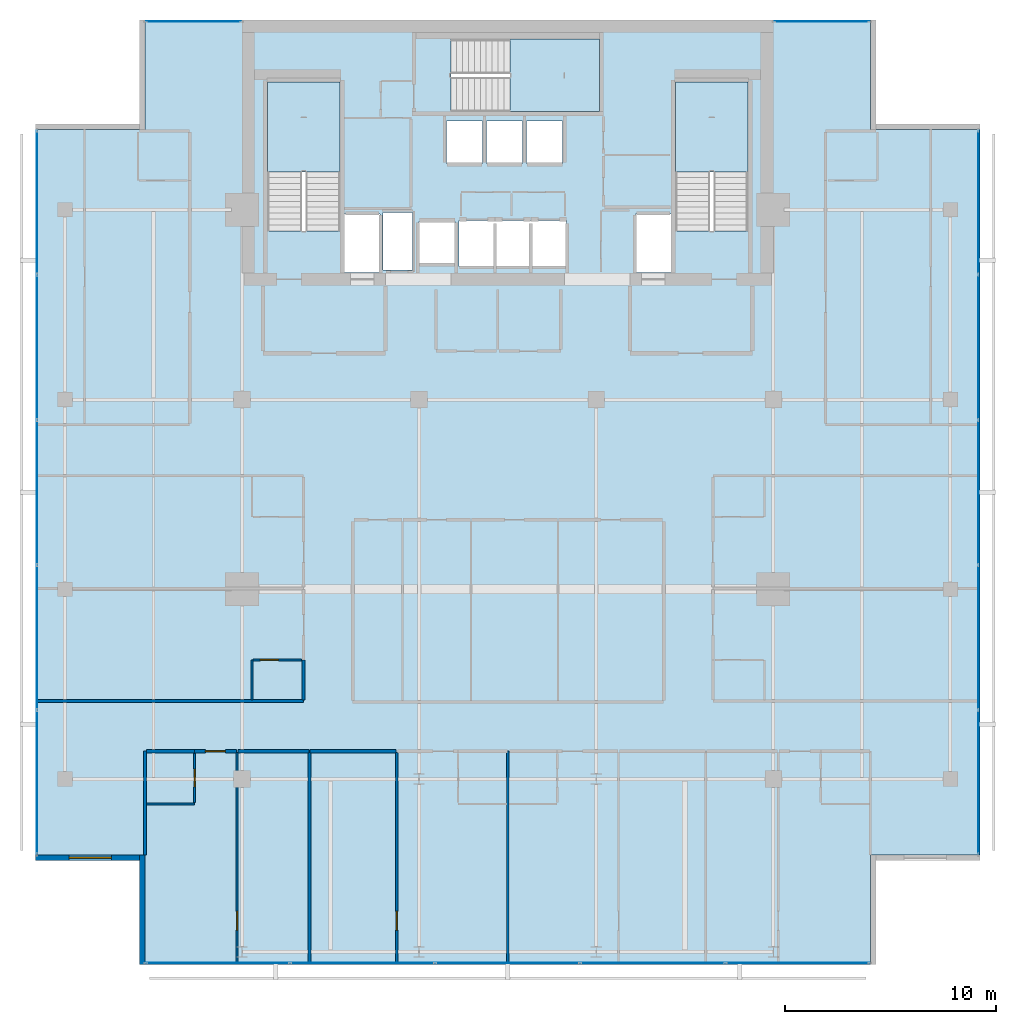
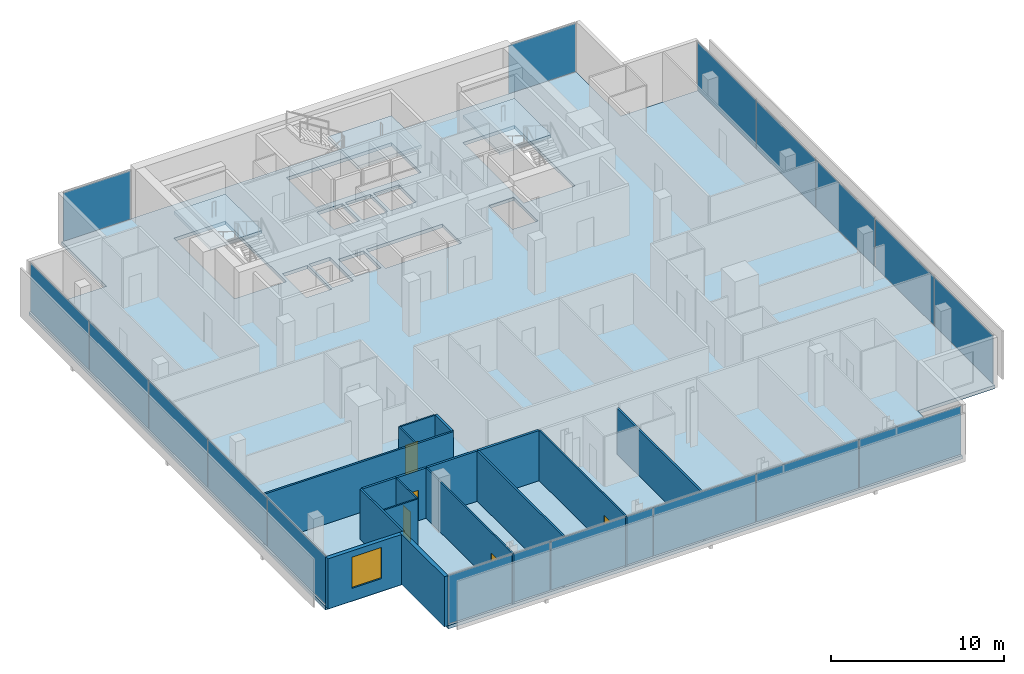
# One storey, part 19 of 26: 17 plates, 17 walls, 5 doors, 4 slabs, 1 window, 6 openings, 8 elements without a shape of their own.
"""IFC4 building model written with IfcOpenShell, lengths in metres."""

from ifc_helpers import new_model, si_unit, direction, frame, frame_2d, origin, origin_2d, place, context, subcontext, project, spatial, polyline, rectangle, outline, extrude, material, layer, layer_set, type_object, element, fill, aggregate, save


model = new_model("IFC4")

# Units and contexts
model_context = context("Model", 3, precision=1e-05, world=origin(), true_north=direction((0.0, 1.0)))
body_context = subcontext(model_context, "Body", "Model", "MODEL_VIEW")
ifc_project = project(units=[si_unit("LENGTHUNIT", "METRE"), si_unit("AREAUNIT", "SQUARE_METRE"), si_unit("VOLUMEUNIT", "CUBIC_METRE"), si_unit("PLANEANGLEUNIT", "RADIAN"), si_unit("MASSUNIT", "GRAM", prefix="KILO")], contexts=[model_context])

# Site, building, storey
site_placement = place(None, origin())
site = spatial("IfcSite", under=ifc_project, at=site_placement, CompositionType="ELEMENT")
building_placement = place(site_placement, origin())
building = spatial("IfcBuilding", under=site, at=building_placement, Name="Maruvema Waterfront Hotel and Observation Tower", CompositionType="ELEMENT")
storey_placement = place(building_placement, frame((0.0, 0.0, 312.550048828125)))
storey = spatial("IfcBuildingStorey", under=building, at=storey_placement, Name="L77", CompositionType="ELEMENT", Elevation=312.550048828125)

# Slab
ifc_material_1 = material(Name="Concrete C50/60", Category="concrete")
ifc_layer_1 = layer(ifc_material_1, 0.239990234375, Name="Reinforced Concrete Floor Slab 240 mm")
ifc_layer_set_1 = layer_set([ifc_layer_1], Name="Concrete C50/60")
slab_type_1 = type_object("IfcSlabType", Name="Reinforced Concrete Floor Slab 240 mm", PredefinedType="FLOOR", material=ifc_layer_set_1)
slab_1_placement = place(storey_placement, frame((0.0, 0.0, -0.239990234375)))
element("IfcSlab", 1, at=slab_1_placement, inside=storey, type_object=slab_type_1, Name="L77 Structural Floor Slab", PredefinedType="FLOOR", context=body_context, shape_type="SweptSolid", body=[
    extrude(outline(polyline([(20.60009765625, 9.199951171875), (55.0, 9.199951171875), (55.0, 14.39990234375), (60.199951171875, 14.39990234375), (60.199951171875, 48.800048828125), (55.0, 48.800048828125), (55.0, 54.0), (20.60009765625, 54.0), (20.60009765625, 48.800048828125), (15.39990234375, 48.800048828125), (15.39990234375, 14.39990234375), (20.60009765625, 14.39990234375), (20.60009765625, 9.199951171875)]), holes=[polyline([(26.39990234375, 44.00048828125), (26.39990234375, 51.050048828125), (29.85009765625, 51.050048828125), (29.85009765625, 44.00048828125), (26.39990234375, 44.00048828125)]), polyline([(30.050048828125, 44.800048828125), (31.75, 44.800048828125), (31.75, 42.02001953125), (30.050048828125, 42.02001953125), (30.050048828125, 44.800048828125)]), polyline([(31.8798828125, 42.139892578125), (31.8798828125, 44.860107421875), (33.280029296875, 44.860107421875), (33.280029296875, 42.139892578125), (31.8798828125, 42.139892578125)]), polyline([(33.60009765625, 44.449951171875), (35.300048828125, 44.449951171875), (35.300048828125, 42.449951171875), (33.60009765625, 42.449951171875), (33.60009765625, 44.449951171875)]), polyline([(34.89990234375, 49.199951171875), (36.60009765625, 49.199951171875), (36.60009765625, 47.199951171875), (34.89990234375, 47.199951171875), (34.89990234375, 49.199951171875)]), polyline([(36.800048828125, 47.199951171875), (36.800048828125, 49.199951171875), (38.5, 49.199951171875), (38.5, 47.199951171875), (36.800048828125, 47.199951171875)]), polyline([(35.5, 42.300048828125), (35.5, 44.5), (40.60009765625, 44.5), (40.60009765625, 42.300048828125), (35.5, 42.300048828125)]), polyline([(35.1005859375, 53.10009765625), (42.14990234375, 53.10009765625), (42.14990234375, 49.64990234375), (35.1005859375, 49.64990234375), (35.1005859375, 53.10009765625)]), polyline([(38.699951171875, 49.199951171875), (40.39990234375, 49.199951171875), (40.39990234375, 47.199951171875), (38.699951171875, 47.199951171875), (38.699951171875, 49.199951171875)]), polyline([(43.85009765625, 44.800048828125), (45.550048828125, 44.800048828125), (45.550048828125, 42.02001953125), (43.85009765625, 42.02001953125), (43.85009765625, 44.800048828125)]), polyline([(45.75, 44.00048828125), (45.75, 51.050048828125), (49.199951171875, 51.050048828125), (49.199951171875, 44.00048828125), (45.75, 44.00048828125)])]), origin(), (0.0, 0.0, 1.0), 0.239990234375),
])

# Curtain wall, plates
ifc_material_2 = material(Name="Anodised bronze aluminium and solar-control low-E IGU", Category="aluminium")
ifc_layer_2 = layer(ifc_material_2, 0.159912109375, Name="Zone 3 Champagne Inner Thermal Curtain Wall System CW-04")
ifc_layer_set_2 = layer_set([ifc_layer_2], Name="Anodised bronze aluminium and solar-control low-E IGU")
curtain_wall_type = type_object("IfcCurtainWallType", Name="Zone 3 Champagne Inner Thermal Curtain Wall System CW-04", PredefinedType="USERDEFINED", material=ifc_layer_set_2)
curtain_wall_1_placement = place(storey_placement, origin())
curtain_wall_1 = element("IfcCurtainWall", 2, at=curtain_wall_1_placement, inside=storey, type_object=curtain_wall_type, Name="L77 Curtain Wall CW-L77-S", ObjectType="UNITISED CURTAIN WALL", PredefinedType="USERDEFINED")
ifc_material_3 = material(Name="Laminated low-E solar-control double glazing", Category="glass")
ifc_layer_3 = layer(ifc_material_3, 0.035888671875, Name="Solar Control Double-Glazed Curtain Panel 36 mm")
ifc_layer_set_3 = layer_set([ifc_layer_3], Name="Laminated low-E solar-control double glazing")
plate_type = type_object("IfcPlateType", Name="Solar Control Double-Glazed Curtain Panel 36 mm", PredefinedType="CURTAIN_PANEL", material=ifc_layer_set_3)
plate_1_placement = place(storey_placement, frame((24.054931640625, 9.280029296875, 0.06005859375), z_axis=(0.0, 0.0, 1.0), x_axis=(1.0, 0.0, 0.0)))
plate_1 = element("IfcPlate", 3, at=plate_1_placement, type_object=plate_type, Name="CW-04 panel 1.1", PredefinedType="CURTAIN_PANEL", context=body_context, shape_type="SweptSolid", body=[
    extrude(rectangle(XDim=6.7900390625, YDim=0.028076171875, at=origin_2d()), origin(), (0.0, 0.0, 1.0), 3.429931640625),
])
plate_2_placement = place(storey_placement, frame((30.919921875, 9.280029296875, 0.06005859375), z_axis=(0.0, 0.0, 1.0), x_axis=(1.0, 0.0, 0.0)))
plate_2 = element("IfcPlate", 4, at=plate_2_placement, type_object=plate_type, Name="CW-04 panel 2.1", PredefinedType="CURTAIN_PANEL", context=body_context, shape_type="SweptSolid", body=[
    extrude(rectangle(XDim=6.820068359375, YDim=0.028076171875, at=origin_2d()), origin(), (0.0, 0.0, 1.0), 3.429931640625),
])
plate_3_placement = place(storey_placement, frame((37.800048828125, 9.280029296875, 0.06005859375), z_axis=(0.0, 0.0, 1.0), x_axis=(1.0, 0.0, 0.0)))
plate_3 = element("IfcPlate", 5, at=plate_3_placement, type_object=plate_type, Name="CW-04 panel 3.1", PredefinedType="CURTAIN_PANEL", context=body_context, shape_type="SweptSolid", body=[
    extrude(rectangle(XDim=6.820068359375, YDim=0.028076171875, at=origin_2d()), origin(), (0.0, 0.0, 1.0), 3.429931640625),
])
plate_4_placement = place(storey_placement, frame((44.679931640625, 9.280029296875, 0.06005859375), z_axis=(0.0, 0.0, 1.0), x_axis=(1.0, 0.0, 0.0)))
plate_4 = element("IfcPlate", 6, at=plate_4_placement, type_object=plate_type, Name="CW-04 panel 4.1", PredefinedType="CURTAIN_PANEL", context=body_context, shape_type="SweptSolid", body=[
    extrude(rectangle(XDim=6.820068359375, YDim=0.028076171875, at=origin_2d()), origin(), (0.0, 0.0, 1.0), 3.429931640625),
])
plate_5_placement = place(storey_placement, frame((51.544921875, 9.280029296875, 0.06005859375), z_axis=(0.0, 0.0, 1.0), x_axis=(1.0, 0.0, 0.0)))
plate_5 = element("IfcPlate", 7, at=plate_5_placement, type_object=plate_type, Name="CW-04 panel 5.1", PredefinedType="CURTAIN_PANEL", context=body_context, shape_type="SweptSolid", body=[
    extrude(rectangle(XDim=6.7900390625, YDim=0.028076171875, at=origin_2d()), origin(), (0.0, 0.0, 1.0), 3.429931640625),
])
aggregate(curtain_wall_1, [plate_1, plate_2, plate_3, plate_4, plate_5])

curtain_wall_2_placement = place(storey_placement, origin())
curtain_wall_2 = element("IfcCurtainWall", 8, at=curtain_wall_2_placement, inside=storey, type_object=curtain_wall_type, Name="L77 Curtain Wall CW-L77-E", ObjectType="UNITISED CURTAIN WALL", PredefinedType="USERDEFINED")
plate_6_placement = place(storey_placement, frame((60.1201171875, 17.85498046875, 0.06005859375), z_axis=(0.0, 0.0, 1.0), x_axis=(0.0, 1.0, 0.0)))
plate_6 = element("IfcPlate", 9, at=plate_6_placement, type_object=plate_type, Name="CW-04 panel 1.1", PredefinedType="CURTAIN_PANEL", context=body_context, shape_type="SweptSolid", body=[
    extrude(rectangle(XDim=6.7900390625, YDim=0.028076171875, at=origin_2d()), origin(), (0.0, 0.0, 1.0), 3.429931640625),
])
plate_7_placement = place(storey_placement, frame((60.1201171875, 24.719970703125, 0.06005859375), z_axis=(0.0, 0.0, 1.0), x_axis=(0.0, 1.0, 0.0)))
plate_7 = element("IfcPlate", 10, at=plate_7_placement, type_object=plate_type, Name="CW-04 panel 2.1", PredefinedType="CURTAIN_PANEL", context=body_context, shape_type="SweptSolid", body=[
    extrude(rectangle(XDim=6.820068359375, YDim=0.028076171875, at=origin_2d()), origin(), (0.0, 0.0, 1.0), 3.429931640625),
])
plate_8_placement = place(storey_placement, frame((60.1201171875, 31.60009765625, 0.06005859375), z_axis=(0.0, 0.0, 1.0), x_axis=(0.0, 1.0, 0.0)))
plate_8 = element("IfcPlate", 11, at=plate_8_placement, type_object=plate_type, Name="CW-04 panel 3.1", PredefinedType="CURTAIN_PANEL", context=body_context, shape_type="SweptSolid", body=[
    extrude(rectangle(XDim=6.820068359375, YDim=0.028076171875, at=origin_2d()), origin(), (0.0, 0.0, 1.0), 3.429931640625),
])
plate_9_placement = place(storey_placement, frame((60.1201171875, 38.47998046875, 0.06005859375), z_axis=(0.0, 0.0, 1.0), x_axis=(0.0, 1.0, 0.0)))
plate_9 = element("IfcPlate", 12, at=plate_9_placement, type_object=plate_type, Name="CW-04 panel 4.1", PredefinedType="CURTAIN_PANEL", context=body_context, shape_type="SweptSolid", body=[
    extrude(rectangle(XDim=6.820068359375, YDim=0.028076171875, at=origin_2d()), origin(), (0.0, 0.0, 1.0), 3.429931640625),
])
plate_10_placement = place(storey_placement, frame((60.1201171875, 45.344970703125, 0.06005859375), z_axis=(0.0, 0.0, 1.0), x_axis=(0.0, 1.0, 0.0)))
plate_10 = element("IfcPlate", 13, at=plate_10_placement, type_object=plate_type, Name="CW-04 panel 5.1", PredefinedType="CURTAIN_PANEL", context=body_context, shape_type="SweptSolid", body=[
    extrude(rectangle(XDim=6.7900390625, YDim=0.028076171875, at=origin_2d()), origin(), (0.0, 0.0, 1.0), 3.429931640625),
])
aggregate(curtain_wall_2, [plate_6, plate_7, plate_8, plate_9, plate_10])

curtain_wall_3_placement = place(storey_placement, origin())
curtain_wall_3 = element("IfcCurtainWall", 14, at=curtain_wall_3_placement, inside=storey, type_object=curtain_wall_type, Name="L77 Curtain Wall CW-L77-W", ObjectType="UNITISED CURTAIN WALL", PredefinedType="USERDEFINED")
plate_11_placement = place(storey_placement, frame((15.47998046875, 45.344970703125, 0.06005859375), z_axis=(0.0, 0.0, 1.0), x_axis=(0.0, -1.0, 0.0)))
plate_11 = element("IfcPlate", 15, at=plate_11_placement, type_object=plate_type, Name="CW-04 panel 1.1", PredefinedType="CURTAIN_PANEL", context=body_context, shape_type="SweptSolid", body=[
    extrude(rectangle(XDim=6.7900390625, YDim=0.028076171875, at=origin_2d()), origin(), (0.0, 0.0, 1.0), 3.429931640625),
])
plate_12_placement = place(storey_placement, frame((15.47998046875, 38.47998046875, 0.06005859375), z_axis=(0.0, 0.0, 1.0), x_axis=(0.0, -1.0, 0.0)))
plate_12 = element("IfcPlate", 16, at=plate_12_placement, type_object=plate_type, Name="CW-04 panel 2.1", PredefinedType="CURTAIN_PANEL", context=body_context, shape_type="SweptSolid", body=[
    extrude(rectangle(XDim=6.820068359375, YDim=0.028076171875, at=origin_2d()), origin(), (0.0, 0.0, 1.0), 3.429931640625),
])
plate_13_placement = place(storey_placement, frame((15.47998046875, 31.60009765625, 0.06005859375), z_axis=(0.0, 0.0, 1.0), x_axis=(0.0, -1.0, 0.0)))
plate_13 = element("IfcPlate", 17, at=plate_13_placement, type_object=plate_type, Name="CW-04 panel 3.1", PredefinedType="CURTAIN_PANEL", context=body_context, shape_type="SweptSolid", body=[
    extrude(rectangle(XDim=6.820068359375, YDim=0.028076171875, at=origin_2d()), origin(), (0.0, 0.0, 1.0), 3.429931640625),
])
plate_14_placement = place(storey_placement, frame((15.47998046875, 24.719970703125, 0.06005859375), z_axis=(0.0, 0.0, 1.0), x_axis=(0.0, -1.0, 0.0)))
plate_14 = element("IfcPlate", 18, at=plate_14_placement, type_object=plate_type, Name="CW-04 panel 4.1", PredefinedType="CURTAIN_PANEL", context=body_context, shape_type="SweptSolid", body=[
    extrude(rectangle(XDim=6.820068359375, YDim=0.028076171875, at=origin_2d()), origin(), (0.0, 0.0, 1.0), 3.429931640625),
])
plate_15_placement = place(storey_placement, frame((15.47998046875, 17.85498046875, 0.06005859375), z_axis=(0.0, 0.0, 1.0), x_axis=(0.0, -1.0, 0.0)))
plate_15 = element("IfcPlate", 19, at=plate_15_placement, type_object=plate_type, Name="CW-04 panel 5.1", PredefinedType="CURTAIN_PANEL", context=body_context, shape_type="SweptSolid", body=[
    extrude(rectangle(XDim=6.7900390625, YDim=0.028076171875, at=origin_2d()), origin(), (0.0, 0.0, 1.0), 3.429931640625),
])
aggregate(curtain_wall_3, [plate_11, plate_12, plate_13, plate_14, plate_15])

# Curtain wall, plate
curtain_wall_4_placement = place(storey_placement, origin())
curtain_wall_4 = element("IfcCurtainWall", 20, at=curtain_wall_4_placement, inside=storey, type_object=curtain_wall_type, Name="L77 Curtain Wall CW-L77-NW", ObjectType="UNITISED CURTAIN WALL", PredefinedType="USERDEFINED")
plate_16_placement = place(storey_placement, frame((22.89990234375, 53.919921875, 0.06005859375), z_axis=(0.0, 0.0, 1.0), x_axis=(-1.0, 0.0, 0.0)))
plate_16 = element("IfcPlate", 21, at=plate_16_placement, type_object=plate_type, Name="CW-04 panel 1.1", PredefinedType="CURTAIN_PANEL", context=body_context, shape_type="SweptSolid", body=[
    extrude(rectangle(XDim=4.47998046875, YDim=0.028076171875, at=origin_2d()), origin(), (0.0, 0.0, 1.0), 3.429931640625),
])
aggregate(curtain_wall_4, [plate_16])

curtain_wall_5_placement = place(storey_placement, origin())
curtain_wall_5 = element("IfcCurtainWall", 22, at=curtain_wall_5_placement, inside=storey, type_object=curtain_wall_type, Name="L77 Curtain Wall CW-L77-NE", ObjectType="UNITISED CURTAIN WALL", PredefinedType="USERDEFINED")
plate_17_placement = place(storey_placement, frame((52.699951171875, 53.919921875, 0.06005859375), z_axis=(0.0, 0.0, 1.0), x_axis=(-1.0, 0.0, 0.0)))
plate_17 = element("IfcPlate", 23, at=plate_17_placement, type_object=plate_type, Name="CW-04 panel 1.1", PredefinedType="CURTAIN_PANEL", context=body_context, shape_type="SweptSolid", body=[
    extrude(rectangle(XDim=4.47998046875, YDim=0.028076171875, at=origin_2d()), origin(), (0.0, 0.0, 1.0), 3.429931640625),
])
aggregate(curtain_wall_5, [plate_17])

# Stair, slab
ifc_material_4 = material(Name="Concrete C50/60", Category="concrete")
stair_type = type_object("IfcStairType", Name="Dogleg Exit Stair 1650 mm (22R x 175.0 mm)", PredefinedType="HALF_TURN_STAIR", material=ifc_material_4)
stair_1_placement = place(storey_placement, origin())
stair_1 = element("IfcStair", 24, at=stair_1_placement, inside=storey, type_object=stair_type, Name="L77 ST-01", PredefinedType="HALF_TURN_STAIR")
ifc_material_5 = material(Name="Concrete C50/60", Category="concrete")
ifc_layer_4 = layer(ifc_material_5, 0.219970703125, Name="Stair Concrete Landing Slab 220 mm")
ifc_layer_set_4 = layer_set([ifc_layer_4], Name="Concrete C50/60")
slab_type_2 = type_object("IfcSlabType", Name="Stair Concrete Landing Slab 220 mm", PredefinedType="LANDING", material=ifc_layer_set_4)
slab_2_placement = place(storey_placement, frame((0.0, 0.0, 1.704833984375)))
slab_2 = element("IfcSlab", 25, at=slab_2_placement, type_object=slab_type_2, Name="ST-01 landing 1", PredefinedType="LANDING", context=body_context, shape_type="SweptSolid", body=[
    extrude(outline(polyline([(29.85009765625, 46.800048828125), (29.85009765625, 51.050048828125), (26.39990234375, 51.050048828125), (26.39990234375, 46.800048828125), (29.85009765625, 46.800048828125)])), origin(), (0.0, 0.0, 1.0), 0.22021484375),
])
aggregate(stair_1, [slab_2])

stair_2_placement = place(storey_placement, origin())
stair_2 = element("IfcStair", 26, at=stair_2_placement, inside=storey, type_object=stair_type, Name="L77 ST-02", PredefinedType="HALF_TURN_STAIR")
slab_3_placement = place(storey_placement, frame((0.0, 0.0, 1.704833984375)))
slab_3 = element("IfcSlab", 27, at=slab_3_placement, type_object=slab_type_2, Name="ST-02 landing 1", PredefinedType="LANDING", context=body_context, shape_type="SweptSolid", body=[
    extrude(outline(polyline([(37.89990234375, 49.64990234375), (42.14990234375, 49.64990234375), (42.14990234375, 53.10009765625), (37.89990234375, 53.10009765625), (37.89990234375, 49.64990234375)])), origin(), (0.0, 0.0, 1.0), 0.22021484375),
])
aggregate(stair_2, [slab_3])

stair_3_placement = place(storey_placement, origin())
stair_3 = element("IfcStair", 28, at=stair_3_placement, inside=storey, type_object=stair_type, Name="L77 ST-03", PredefinedType="HALF_TURN_STAIR")
slab_4_placement = place(storey_placement, frame((0.0, 0.0, 1.704833984375)))
slab_4 = element("IfcSlab", 29, at=slab_4_placement, type_object=slab_type_2, Name="ST-03 landing 1", PredefinedType="LANDING", context=body_context, shape_type="SweptSolid", body=[
    extrude(outline(polyline([(49.199951171875, 46.800048828125), (49.199951171875, 51.050048828125), (45.75, 51.050048828125), (45.75, 46.800048828125), (49.199951171875, 46.800048828125)])), origin(), (0.0, 0.0, 1.0), 0.22021484375),
])
aggregate(stair_3, [slab_4])

# Wall
ifc_material_6 = material(Name="Twin-stud acoustic gypsum drywall", Category="gypsum")
ifc_layer_5 = layer(ifc_material_6, 0.14990234375, Name="Acoustic Corridor and Suite Demising Wall 150 mm")
ifc_layer_set_5 = layer_set([ifc_layer_5], Name="Twin-stud acoustic gypsum drywall")
wall_type_1 = type_object("IfcWallType", Name="Acoustic Corridor and Suite Demising Wall 150 mm", PredefinedType="PARTITIONING", material=ifc_layer_set_5)
wall_1_placement = place(storey_placement, frame((20.679931640625, 19.320068359375, 0.0), z_axis=(0.0, 0.0, 1.0), x_axis=(1.0, 0.0, 0.0)))
element("IfcWall", 30, at=wall_1_placement, inside=storey, type_object=wall_type_1, Name="L77 Bath L77-S1 Back Wall 043", PredefinedType="PARTITIONING", context=body_context, shape_type="SweptSolid", body=[
    extrude(rectangle(XDim=2.27001953125, YDim=0.14990234375, at=frame_2d((1.135009765625, 0.0))), origin(), (0.0, 0.0, 1.0), 3.550048828125),
])

# Wall, opening, door
wall_2_placement = place(storey_placement, frame((22.949951171875, 19.320068359375, 0.0), z_axis=(0.0, 0.0, 1.0), x_axis=(1.0, 0.0, 0.0)))
wall_2 = element("IfcWall", 31, at=wall_2_placement, inside=storey, type_object=wall_type_1, Name="L77 Unit L77-S1 Corridor Wall 046", PredefinedType="PARTITIONING", context=body_context, shape_type="SweptSolid", body=[
    extrude(rectangle(XDim=1.97802734375, YDim=0.14990234375, at=frame_2d((0.989013671875, 0.0))), origin(), (0.0, 0.0, 1.0), 3.550048828125),
])
opening_1_placement = place(wall_2_placement, frame((0.513916015625, 0.0, 0.0)))
opening_1 = element("IfcOpeningElement", 32, at=opening_1_placement, cuts=wall_2, Name="Opening DR-095", PredefinedType="OPENING", context=body_context, shape_type="SweptSolid", body=[
    extrude(rectangle(XDim=0.949951171875, YDim=2.14990234375, at=frame_2d((0.47509765625, 1.074951171875))), frame((0.0, 0.0849609375, 0.0), z_axis=(0.0, -1.0, 0.0), x_axis=(1.0, 0.0, 0.0)), (0.0, 0.0, 1.0), 0.169921875),
])
ifc_material_7 = material(Name="Acoustic solid-core hardwood timber leaf", Category="wood")
door_type_1 = type_object("IfcDoorType", Name="Guestroom Entrance Fire Door 950x2150 mm", OperationType="NOTDEFINED", PredefinedType="DOOR", material=ifc_material_7)
door_1_placement = place(opening_1_placement, frame((0.949951171875, 0.0, 0.0), z_axis=(0.0, 0.0, 1.0), x_axis=(-1.0, 0.0, 0.0)))
door_1 = element("IfcDoor", 33, at=door_1_placement, inside=storey, type_object=door_type_1, Name="L77 Unit L77-S1 Entrance Door", OperationType="SINGLE_SWING_LEFT", OverallHeight=2.14990234375, OverallWidth=0.949951171875, PredefinedType="DOOR", context=body_context, shape_type="SweptSolid", body=[
    extrude(rectangle(XDim=0.949951171875, YDim=2.14990234375, at=frame_2d((0.47509765625, 1.074951171875))), frame((0.0, 0.02490234375, 0.0), z_axis=(0.0, -1.0, 0.0), x_axis=(1.0, 0.0, 0.0)), (0.0, 0.0, 1.0), 0.050048828125),
])
fill(opening_1, door_1)

# Walls
wall_3_placement = place(storey_placement, frame((25.008056640625, 19.320068359375, 0.0), z_axis=(0.0, 0.0, 1.0), x_axis=(1.0, 0.0, 0.0)))
element("IfcWall", 34, at=wall_3_placement, inside=storey, type_object=wall_type_1, Name="L77 Bedroom L77-S1 Back Wall 047", PredefinedType="PARTITIONING", context=body_context, shape_type="SweptSolid", body=[
    extrude(rectangle(XDim=3.371826171875, YDim=0.14990234375, at=frame_2d((1.68603515625, 0.0))), origin(), (0.0, 0.0, 1.0), 3.550048828125),
])
wall_4_placement = place(storey_placement, frame((28.419921875, 19.320068359375, 0.0), z_axis=(0.0, 0.0, 1.0), x_axis=(1.0, 0.0, 0.0)))
element("IfcWall", 35, at=wall_4_placement, inside=storey, type_object=wall_type_1, Name="L77 Bedroom L77-S2 Back Wall 053", PredefinedType="PARTITIONING", context=body_context, shape_type="SweptSolid", body=[
    extrude(rectangle(XDim=4.076171875, YDim=0.14990234375, at=frame_2d((2.0380859375, 0.0))), origin(), (0.0, 0.0, 1.0), 3.550048828125),
])
wall_5_placement = place(storey_placement, frame((28.1201171875, 21.760009765625, 0.0), z_axis=(0.0, 0.0, 1.0), x_axis=(0.0, 1.0, 0.0)))
element("IfcWall", 36, at=wall_5_placement, inside=storey, type_object=wall_type_1, Name="L77 Bath L77-W1 Wall 074", PredefinedType="PARTITIONING", context=body_context, shape_type="SweptSolid", body=[
    extrude(rectangle(XDim=1.889892578125, YDim=0.14990234375, at=frame_2d((0.94482421875, 0.0))), origin(), (0.0, 0.0, 1.0), 3.550048828125),
])
ifc_material_8 = material(Name="Moisture-resistant cement-board drywall", Category="gypsum")
ifc_layer_6 = layer(ifc_material_8, 0.10009765625, Name="En-Suite Moisture-Resistant Partition 100 mm")
ifc_layer_set_6 = layer_set([ifc_layer_6], Name="Moisture-resistant cement-board drywall")
wall_type_2 = type_object("IfcWallType", Name="En-Suite Moisture-Resistant Partition 100 mm", PredefinedType="PARTITIONING", material=ifc_layer_set_6)
wall_6_placement = place(storey_placement, frame((20.679931640625, 16.820068359375, 0.0), z_axis=(0.0, 0.0, 1.0), x_axis=(1.0, 0.0, 0.0)))
element("IfcWall", 37, at=wall_6_placement, inside=storey, type_object=wall_type_2, Name="L77 En-Suite L77-S1 South 044", PredefinedType="PARTITIONING", context=body_context, shape_type="SweptSolid", body=[
    extrude(rectangle(XDim=2.27001953125, YDim=0.10009765625, at=frame_2d((1.135009765625, 0.0))), origin(), (0.0, 0.0, 1.0), 3.550048828125),
])

# Wall, opening, door
wall_7_placement = place(storey_placement, frame((22.949951171875, 16.8798828125, 0.0), z_axis=(0.0, 0.0, 1.0), x_axis=(0.0, 1.0, 0.0)))
wall_7 = element("IfcWall", 38, at=wall_7_placement, inside=storey, type_object=wall_type_2, Name="L77 En-Suite L77-S1 East 045", PredefinedType="PARTITIONING", context=body_context, shape_type="SweptSolid", body=[
    extrude(rectangle(XDim=2.340087890625, YDim=0.10009765625, at=frame_2d((1.169921875, 0.0))), origin(), (0.0, 0.0, 1.0), 3.550048828125),
])
opening_2_placement = place(wall_7_placement, frame((0.7451171875, 0.0, 0.0)))
opening_2 = element("IfcOpeningElement", 39, at=opening_2_placement, cuts=wall_7, Name="Opening DR-085", PredefinedType="OPENING", context=body_context, shape_type="SweptSolid", body=[
    extrude(rectangle(XDim=0.85009765625, YDim=2.10009765625, at=frame_2d((0.425048828125, 1.050048828125))), frame((0.0, 0.06005859375, 0.0), z_axis=(0.0, -1.0, 0.0), x_axis=(1.0, 0.0, 0.0)), (0.0, 0.0, 1.0), 0.1201171875),
])
ifc_material_9 = material(Name="Moisture-resistant solid timber leaf", Category="wood")
door_type_2 = type_object("IfcDoorType", Name="En-Suite Bathroom Door 850x2100 mm", OperationType="NOTDEFINED", PredefinedType="DOOR", material=ifc_material_9)
door_2_placement = place(opening_2_placement, frame((0.85009765625, 0.0, 0.0), z_axis=(0.0, 0.0, 1.0), x_axis=(-1.0, 0.0, 0.0)))
door_2 = element("IfcDoor", 40, at=door_2_placement, inside=storey, type_object=door_type_2, Name="L77 En-Suite L77-S1 Door", OperationType="SINGLE_SWING_RIGHT", OverallHeight=2.10009765625, OverallWidth=0.85009765625, PredefinedType="DOOR", context=body_context, shape_type="SweptSolid", body=[
    extrude(rectangle(XDim=0.85009765625, YDim=2.10009765625, at=frame_2d((0.425048828125, 1.050048828125))), frame((0.0, 0.02490234375, 0.0), z_axis=(0.0, -1.0, 0.0), x_axis=(1.0, 0.0, 0.0)), (0.0, 0.0, 1.0), 0.050048828125),
])
fill(opening_2, door_2)

wall_8_placement = place(storey_placement, frame((24.968017578125, 9.22998046875, 0.0), z_axis=(0.0, 0.0, 1.0), x_axis=(0.0, 1.0, 0.0)))
wall_8 = element("IfcWall", 41, at=wall_8_placement, inside=storey, type_object=wall_type_2, Name="L77 Suite L77-S1 Split 048", PredefinedType="PARTITIONING", context=body_context, shape_type="SweptSolid", body=[
    extrude(rectangle(XDim=10.030029296875, YDim=0.10009765625, at=frame_2d((5.01513671875, 0.0))), origin(), (0.0, 0.0, 1.0), 3.550048828125),
])
opening_3_placement = place(wall_8_placement, frame((1.60009765625, 0.0, 0.0)))
opening_3 = element("IfcOpeningElement", 42, at=opening_3_placement, cuts=wall_8, Name="Opening DR-090", PredefinedType="OPENING", context=body_context, shape_type="SweptSolid", body=[
    extrude(rectangle(XDim=0.89990234375, YDim=2.10009765625, at=frame_2d((0.449951171875, 1.050048828125))), frame((0.0, 0.06005859375, 0.0), z_axis=(0.0, -1.0, 0.0), x_axis=(1.0, 0.0, 0.0)), (0.0, 0.0, 1.0), 0.1201171875),
])
ifc_material_10 = material(Name="Solid-core lacquered timber leaf", Category="wood")
door_type_3 = type_object("IfcDoorType", Name="Accessible Toilet and Room Door 900x2100 mm", OperationType="NOTDEFINED", PredefinedType="DOOR", material=ifc_material_10)
door_3_placement = place(opening_3_placement, origin())
door_3 = element("IfcDoor", 43, at=door_3_placement, inside=storey, type_object=door_type_3, Name="L77 Suite L77-S1 Bedroom Door", OperationType="SINGLE_SWING_RIGHT", OverallHeight=2.10009765625, OverallWidth=0.89990234375, PredefinedType="DOOR", context=body_context, shape_type="SweptSolid", body=[
    extrude(rectangle(XDim=0.89990234375, YDim=2.10009765625, at=frame_2d((0.449951171875, 1.050048828125))), frame((0.0, 0.02490234375, 0.0), z_axis=(0.0, -1.0, 0.0), x_axis=(1.0, 0.0, 0.0)), (0.0, 0.0, 1.0), 0.050048828125),
])
fill(opening_3, door_3)

wall_9_placement = place(storey_placement, frame((32.535888671875, 9.22998046875, 0.0), z_axis=(0.0, 0.0, 1.0), x_axis=(0.0, 1.0, 0.0)))
wall_9 = element("IfcWall", 44, at=wall_9_placement, inside=storey, type_object=wall_type_2, Name="L77 Suite L77-S2 Split 055", PredefinedType="PARTITIONING", context=body_context, shape_type="SweptSolid", body=[
    extrude(rectangle(XDim=10.030029296875, YDim=0.10009765625, at=frame_2d((5.01513671875, 0.0))), origin(), (0.0, 0.0, 1.0), 3.550048828125),
])
opening_4_placement = place(wall_9_placement, frame((1.60009765625, 0.0, 0.0)))
opening_4 = element("IfcOpeningElement", 45, at=opening_4_placement, cuts=wall_9, Name="Opening DR-090", PredefinedType="OPENING", context=body_context, shape_type="SweptSolid", body=[
    extrude(rectangle(XDim=0.89990234375, YDim=2.10009765625, at=frame_2d((0.449951171875, 1.050048828125))), frame((0.0, 0.06005859375, 0.0), z_axis=(0.0, -1.0, 0.0), x_axis=(1.0, 0.0, 0.0)), (0.0, 0.0, 1.0), 0.1201171875),
])
door_4_placement = place(opening_4_placement, frame((0.89990234375, 0.0, 0.0), z_axis=(0.0, 0.0, 1.0), x_axis=(-1.0, 0.0, 0.0)))
door_4 = element("IfcDoor", 46, at=door_4_placement, inside=storey, type_object=door_type_3, Name="L77 Suite L77-S2 Bedroom Door", OperationType="SINGLE_SWING_LEFT", OverallHeight=2.10009765625, OverallWidth=0.89990234375, PredefinedType="DOOR", context=body_context, shape_type="SweptSolid", body=[
    extrude(rectangle(XDim=0.89990234375, YDim=2.10009765625, at=frame_2d((0.449951171875, 1.050048828125))), frame((0.0, 0.02490234375, 0.0), z_axis=(0.0, -1.0, 0.0), x_axis=(1.0, 0.0, 0.0)), (0.0, 0.0, 1.0), 0.050048828125),
])
fill(opening_4, door_4)

# Wall
wall_10_placement = place(storey_placement, frame((25.669921875, 21.760009765625, 0.0), z_axis=(0.0, 0.0, 1.0), x_axis=(0.0, 1.0, 0.0)))
element("IfcWall", 47, at=wall_10_placement, inside=storey, type_object=wall_type_2, Name="L77 En-Suite L77-W1 W 076", PredefinedType="PARTITIONING", context=body_context, shape_type="SweptSolid", body=[
    extrude(rectangle(XDim=1.889892578125, YDim=0.10009765625, at=frame_2d((0.94482421875, 0.0))), origin(), (0.0, 0.0, 1.0), 3.550048828125),
])

# Wall, opening, door
wall_11_placement = place(storey_placement, frame((25.719970703125, 23.64990234375, 0.0), z_axis=(0.0, 0.0, 1.0), x_axis=(1.0, 0.0, 0.0)))
wall_11 = element("IfcWall", 48, at=wall_11_placement, inside=storey, type_object=wall_type_2, Name="L77 En-Suite L77-W1 N 077", PredefinedType="PARTITIONING", context=body_context, shape_type="SweptSolid", body=[
    extrude(rectangle(XDim=2.300048828125, YDim=0.10009765625, at=frame_2d((1.14990234375, 0.0))), origin(), (0.0, 0.0, 1.0), 3.550048828125),
])
opening_5_placement = place(wall_11_placement, frame((0.35009765625, 0.0, 0.0)))
opening_5 = element("IfcOpeningElement", 49, at=opening_5_placement, cuts=wall_11, Name="Opening DR-085", PredefinedType="OPENING", context=body_context, shape_type="SweptSolid", body=[
    extrude(rectangle(XDim=0.85009765625, YDim=2.10009765625, at=frame_2d((0.425048828125, 1.050048828125))), frame((0.0, 0.06005859375, 0.0), z_axis=(0.0, -1.0, 0.0), x_axis=(1.0, 0.0, 0.0)), (0.0, 0.0, 1.0), 0.1201171875),
])
door_5_placement = place(opening_5_placement, origin())
door_5 = element("IfcDoor", 50, at=door_5_placement, inside=storey, type_object=door_type_2, Name="L77 En-Suite L77-W1 Door", OperationType="SINGLE_SWING_RIGHT", OverallHeight=2.10009765625, OverallWidth=0.85009765625, PredefinedType="DOOR", context=body_context, shape_type="SweptSolid", body=[
    extrude(rectangle(XDim=0.85009765625, YDim=2.10009765625, at=frame_2d((0.425048828125, 1.050048828125))), frame((0.0, 0.02490234375, 0.0), z_axis=(0.0, -1.0, 0.0), x_axis=(1.0, 0.0, 0.0)), (0.0, 0.0, 1.0), 0.050048828125),
])
fill(opening_5, door_5)

# Wall
ifc_material_11 = material(Name="Precast concrete C45/55 with honed Pernambuco granite facing", Category="masonry")
ifc_layer_7 = layer(ifc_material_11, 0.260009765625, Name="Exterior Granite Clad Spandrel and Pier Wall 260 mm")
ifc_layer_set_7 = layer_set([ifc_layer_7], Name="Precast concrete C45/55 with honed Pernambuco granite facing")
wall_type_3 = type_object("IfcWallType", Name="Exterior Granite Clad Spandrel and Pier Wall 260 mm", PredefinedType="SOLIDWALL", material=ifc_layer_set_7)
wall_12_placement = place(storey_placement, frame((20.469970703125, 9.199951171875, 0.0), z_axis=(0.0, 0.0, 1.0), x_axis=(0.0, 1.0, 0.0)))
element("IfcWall", 51, at=wall_12_placement, inside=storey, type_object=wall_type_3, Name="L77 Corner Notch Granite Pier Wall SW1", PredefinedType="SOLIDWALL", context=body_context, shape_type="SweptSolid", body=[
    extrude(rectangle(XDim=5.199951171875, YDim=0.260009765625, at=frame_2d((2.60009765625, 0.0))), origin(), (0.0, 0.0, 1.0), 3.550048828125),
])

# Wall, opening, window
wall_13_placement = place(storey_placement, frame((20.60009765625, 14.27001953125, 0.0), z_axis=(0.0, 0.0, 1.0), x_axis=(-1.0, 0.0, 0.0)))
wall_13 = element("IfcWall", 52, at=wall_13_placement, inside=storey, type_object=wall_type_3, Name="L77 Corner Notch Granite Pier Wall SW2", PredefinedType="SOLIDWALL", context=body_context, shape_type="SweptSolid", body=[
    extrude(rectangle(XDim=5.2001953125, YDim=0.260009765625, at=frame_2d((2.60009765625, 0.0))), origin(), (0.0, 0.0, 1.0), 3.550048828125),
])
opening_6_placement = place(wall_13_placement, frame((1.60009765625, 0.0, 0.89990234375)))
opening_6 = element("IfcOpeningElement", 53, at=opening_6_placement, cuts=wall_13, Name="Opening WN-03", PredefinedType="OPENING", context=body_context, shape_type="SweptSolid", body=[
    extrude(rectangle(XDim=2.0, YDim=2.199951171875, at=frame_2d((1.0, 1.10009765625))), frame((0.0, 0.14013671875, 0.0), z_axis=(0.0, -1.0, 0.0), x_axis=(1.0, 0.0, 0.0)), (0.0, 0.0, 1.0), 0.280029296875),
])
ifc_material_12 = material(Name="Anodised bronze aluminium frame with laminated low-E glass", Category="aluminium")
window_type = type_object("IfcWindowType", Name="Sky Suite Panoramic Notch Window 2000x2200 mm", PartitioningType="SINGLE_PANEL", PredefinedType="WINDOW", material=ifc_material_12)
window_placement = place(opening_6_placement, origin())
window = element("IfcWindow", 54, at=window_placement, inside=storey, type_object=window_type, Name="L77 Corner Notch Punched Window SW2", OverallHeight=2.199951171875, OverallWidth=2.0, PartitioningType="SINGLE_PANEL", PredefinedType="WINDOW", context=body_context, shape_type="SweptSolid", body=[
    extrude(rectangle(XDim=2.0, YDim=2.199951171875, at=frame_2d((1.0, 1.10009765625))), frame((0.0, 0.030029296875, 0.0), z_axis=(0.0, -1.0, 0.0), x_axis=(1.0, 0.0, 0.0)), (0.0, 0.0, 1.0), 0.06005859375),
])
fill(opening_6, window)

# Walls
ifc_material_13 = material(Name="Acoustic gypsum plasterboard drywall", Category="gypsum")
ifc_layer_8 = layer(ifc_material_13, 0.125, Name="Guestroom Acoustic Demising Wall 125 mm")
ifc_layer_set_8 = layer_set([ifc_layer_8], Name="Acoustic gypsum plasterboard drywall")
wall_type_4 = type_object("IfcWallType", Name="Guestroom Acoustic Demising Wall 125 mm", PredefinedType="PARTITIONING", material=ifc_layer_set_8)
wall_14_placement = place(storey_placement, frame((20.60009765625, 14.39990234375, 0.0), z_axis=(0.0, 0.0, 1.0), x_axis=(0.0, 1.0, 0.0)))
element("IfcWall", 55, at=wall_14_placement, inside=storey, type_object=wall_type_4, Name="L77 Z3 S West End 041", PredefinedType="PARTITIONING", context=body_context, shape_type="SweptSolid", body=[
    extrude(rectangle(XDim=4.920166015625, YDim=0.125, at=frame_2d((2.4599609375, 0.0))), origin(), (0.0, 0.0, 1.0), 3.550048828125),
])
wall_15_placement = place(storey_placement, frame((28.39990234375, 9.300048828125, 0.0), z_axis=(0.0, 0.0, 1.0), x_axis=(0.0, 1.0, 0.0)))
element("IfcWall", 56, at=wall_15_placement, inside=storey, type_object=wall_type_4, Name="L77 Z3 S Demising 2 049", PredefinedType="PARTITIONING", context=body_context, shape_type="SweptSolid", body=[
    extrude(rectangle(XDim=10.02001953125, YDim=0.125, at=frame_2d((5.010009765625, 0.0))), origin(), (0.0, 0.0, 1.0), 3.550048828125),
])
wall_16_placement = place(storey_placement, frame((37.800048828125, 9.300048828125, 0.0), z_axis=(0.0, 0.0, 1.0), x_axis=(0.0, 1.0, 0.0)))
element("IfcWall", 57, at=wall_16_placement, inside=storey, type_object=wall_type_4, Name="L77 Z3 S Demising 3 056", PredefinedType="PARTITIONING", context=body_context, shape_type="SweptSolid", body=[
    extrude(rectangle(XDim=10.02001953125, YDim=0.125, at=frame_2d((5.010009765625, 0.0))), origin(), (0.0, 0.0, 1.0), 3.243896484375),
])
wall_17_placement = place(storey_placement, frame((15.5, 21.699951171875, 0.0), z_axis=(0.0, 0.0, 1.0), x_axis=(1.0, 0.0, 0.0)))
element("IfcWall", 58, at=wall_17_placement, inside=storey, type_object=wall_type_4, Name="L77 Z3 W Bot End 070", PredefinedType="PARTITIONING", context=body_context, shape_type="SweptSolid", body=[
    extrude(rectangle(XDim=12.6201171875, YDim=0.125, at=frame_2d((6.31005859375, 0.0))), origin(), (0.0, 0.0, 1.0), 3.550048828125),
])

save(model, "model.ifc")
